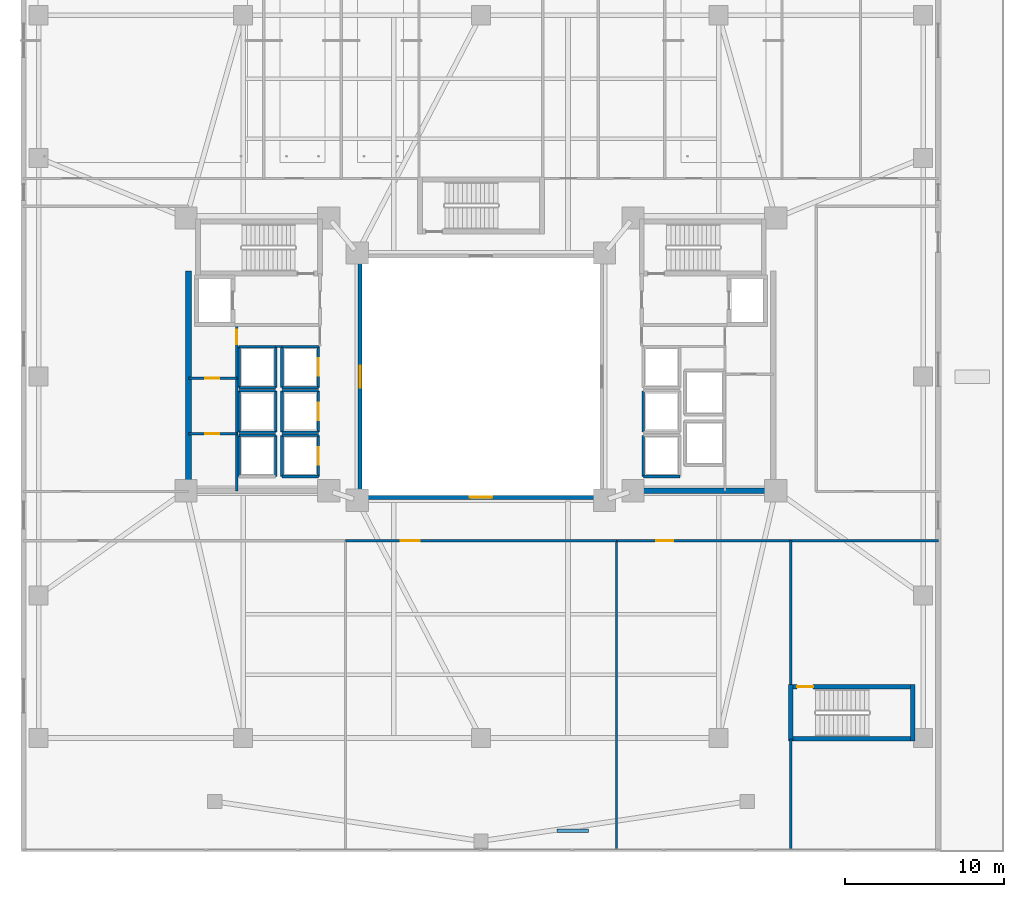
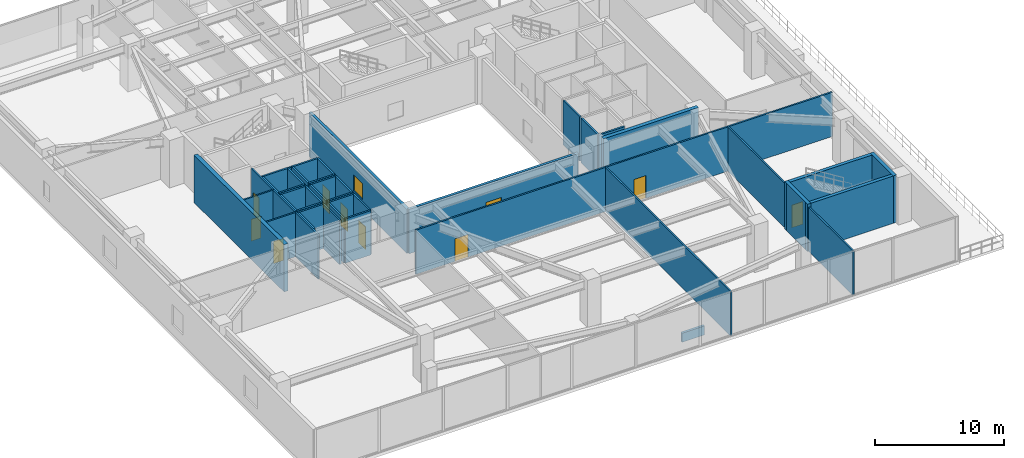
# One storey, part 17 of 27: 44 walls, 9 doors, 2 windows, 11 openings.
"""IFC4 building model written with IfcOpenShell, lengths in metres."""

from ifc_helpers import new_model, si_unit, direction, frame, frame_2d, origin, place, context, subcontext, project, spatial, rectangle, extrude, material, layer, layer_set, type_object, element, fill, save


model = new_model("IFC4")

# Units and contexts
model_context = context("Model", 3, precision=1e-05, world=origin(), true_north=direction((0.0, 1.0)))
body_context = subcontext(model_context, "Body", "Model", "MODEL_VIEW")
ifc_project = project(units=[si_unit("LENGTHUNIT", "METRE"), si_unit("AREAUNIT", "SQUARE_METRE"), si_unit("VOLUMEUNIT", "CUBIC_METRE"), si_unit("PLANEANGLEUNIT", "RADIAN"), si_unit("MASSUNIT", "GRAM", prefix="KILO")], contexts=[model_context])

# Site, building, storey
site_placement = place(None, origin())
site = spatial("IfcSite", under=ifc_project, at=site_placement, CompositionType="ELEMENT")
building_placement = place(site_placement, origin())
building = spatial("IfcBuilding", under=site, at=building_placement, Name="Tarnavaz Court Tower", CompositionType="ELEMENT")
storey_placement = place(building_placement, frame((0.0, 0.0, 9.89990234375)))
storey = spatial("IfcBuildingStorey", under=building, at=storey_placement, Name="L02", CompositionType="ELEMENT", Elevation=9.89990234375)

# Wall, opening, door
ifc_material_1 = material(Name="Concrete C60/75", Category="concrete")
ifc_layer_1 = layer(ifc_material_1, 0.300048828125)
ifc_layer_set_1 = layer_set([ifc_layer_1], Name="Concrete C60/75")
wall_type_1 = type_object("IfcWallType", Name="WL-CORE-300-C60", PredefinedType="SHEAR", material=ifc_layer_set_1)
wall_1_placement = place(storey_placement, frame((19.39990234375, -19.56005859375, 0.0), z_axis=(0.0, 0.0, 1.0), x_axis=(1.0, 0.0, 0.0)))
wall_1 = element("IfcWall", 1, at=wall_1_placement, inside=storey, type_object=wall_type_1, Name="L02 Podium Stair Core Wall 013", PredefinedType="SHEAR", context=body_context, shape_type="SweptSolid", body=[
    extrude(rectangle(XDim=8.0, YDim=0.300048828125, at=frame_2d((4.0, 0.0))), origin(), (0.0, 0.0, 1.0), 4.5),
])
opening_1_placement = place(wall_1_placement, frame((0.550048828125, 0.0, 0.0)))
opening_1 = element("IfcOpeningElement", 2, at=opening_1_placement, cuts=wall_1, Name="Opening D01", PredefinedType="OPENING", context=body_context, shape_type="SweptSolid", body=[
    extrude(rectangle(XDim=1.0, YDim=2.14990234375, at=frame_2d((0.5, 1.074951171875))), frame((0.0, 0.159912109375, 0.0), z_axis=(0.0, -1.0, 0.0), x_axis=(1.0, 0.0, 0.0)), (0.0, 0.0, 1.0), 0.320068359375),
])
ifc_material_2 = material(Name="Fire-Rated Hardwood Timber Core", Category="wood")
door_type_1 = type_object("IfcDoorType", Name="DR-FD90-1000", OperationType="NOTDEFINED", PredefinedType="DOOR", material=ifc_material_2)
door_1_placement = place(opening_1_placement, origin())
door_1 = element("IfcDoor", 3, at=door_1_placement, inside=storey, type_object=door_type_1, Name="L02 Stair ST-P1 Exit Door", OperationType="SINGLE_SWING_RIGHT", OverallHeight=2.14990234375, OverallWidth=1.0, PredefinedType="DOOR", context=body_context, shape_type="SweptSolid", body=[
    extrude(rectangle(XDim=1.0, YDim=2.14990234375, at=frame_2d((0.5, 1.074951171875))), frame((0.0, 0.02490234375, 0.0), z_axis=(0.0, -1.0, 0.0), x_axis=(1.0, 0.0, 0.0)), (0.0, 0.0, 1.0), 0.050048828125),
])
fill(opening_1, door_1)

# Walls
wall_2_placement = place(storey_placement, frame((19.39990234375, -22.85009765625, 0.0), z_axis=(0.0, 0.0, 1.0), x_axis=(1.0, 0.0, 0.0)))
element("IfcWall", 4, at=wall_2_placement, inside=storey, type_object=wall_type_1, Name="L02 Podium Stair Core Wall 014", PredefinedType="SHEAR", context=body_context, shape_type="SweptSolid", body=[
    extrude(rectangle(XDim=8.0, YDim=0.300048828125, at=frame_2d((4.0, 0.0))), origin(), (0.0, 0.0, 1.0), 4.5),
])
for number, where, z_axis, x_axis, name in (
    (5, (19.550048828125, -23.0, 0.0), (0.0, 0.0, 1.0), (0.0, 1.0, 0.0), "L02 Podium Stair Core Wall 015"),
    (6, (27.25, -23.0, 0.0), (0.0, 0.0, 1.0), (0.0, 1.0, 0.0), "L02 Podium Stair Core Wall 016"),
):
    element("IfcWall", number, at=place(storey_placement, frame(where, z_axis=z_axis, x_axis=x_axis)), inside=storey, type_object=wall_type_1, Name=name, PredefinedType="SHEAR", context=body_context, shape_type="SweptSolid", body=[
        extrude(rectangle(XDim=3.590087890625, YDim=0.300048828125, at=frame_2d((1.794921875, 0.0))), origin(), (0.0, 0.0, 1.0), 4.5),
    ])
ifc_layer_2 = layer(ifc_material_1, 0.35009765625)
ifc_layer_set_2 = layer_set([ifc_layer_2], Name="Concrete C60/75")
wall_type_2 = type_object("IfcWallType", Name="WL-CORE-350-C60", PredefinedType="SHEAR", material=ifc_layer_set_2)
wall_3_placement = place(storey_placement, frame((-18.449951171875, -7.375, 0.0), z_axis=(0.0, 0.0, 1.0), x_axis=(0.0, 1.0, 0.0)))
element("IfcWall", 7, at=wall_3_placement, inside=storey, type_object=wall_type_2, Name="L02 West Core Shear Wall 073", PredefinedType="SHEAR", context=body_context, shape_type="SweptSolid", body=[
    extrude(rectangle(XDim=14.050048828125, YDim=0.35009765625, at=frame_2d((7.02490234375, 0.0))), origin(), (0.0, 0.0, 1.0), 4.5),
])
wall_4_placement = place(storey_placement, frame((10.074951171875, -7.199951171875, 0.0), z_axis=(0.0, 0.0, 1.0), x_axis=(1.0, 0.0, 0.0)))
element("IfcWall", 8, at=wall_4_placement, inside=storey, type_object=wall_type_2, Name="L02 East Core South Shear Wall 076", PredefinedType="SHEAR", context=body_context, shape_type="SweptSolid", body=[
    extrude(rectangle(XDim=8.550048828125, YDim=0.35009765625, at=frame_2d((4.27490234375, 0.0))), origin(), (0.0, 0.0, 1.0), 4.5),
])

# Wall, opening, door
ifc_material_3 = material(Name="Gypsum Fire-Board on Acoustic Metal Stud", Category="masonry")
ifc_layer_3 = layer(ifc_material_3, 0.14990234375)
ifc_layer_set_3 = layer_set([ifc_layer_3], Name="Gypsum Fire-Board on Acoustic Metal Stud")
wall_type_3 = type_object("IfcWallType", Name="WL-FIRE-150", PredefinedType="PARTITIONING", material=ifc_layer_set_3)
wall_5_placement = place(storey_placement, frame((-8.550048828125, -10.35009765625, 0.0), z_axis=(0.0, 0.0, 1.0), x_axis=(1.0, 0.0, 0.0)))
wall_5 = element("IfcWall", 9, at=wall_5_placement, inside=storey, type_object=wall_type_3, Name="L02 South Ring Corridor Wall 090", PredefinedType="PARTITIONING", context=body_context, shape_type="SweptSolid", body=[
    extrude(rectangle(XDim=17.10009765625, YDim=0.14990234375, at=frame_2d((8.550048828125, 0.0))), origin(), (0.0, 0.0, 1.0), 4.2001953125),
])
opening_2_placement = place(wall_5_placement, frame((3.5, 0.0, 0.0)))
opening_2 = element("IfcOpeningElement", 10, at=opening_2_placement, cuts=wall_5, Name="Opening D11", PredefinedType="OPENING", context=body_context, shape_type="SweptSolid", body=[
    extrude(rectangle(XDim=1.199951171875, YDim=2.14990234375, at=frame_2d((0.60009765625, 1.074951171875))), frame((0.0, 0.0849609375, 0.0), z_axis=(0.0, -1.0, 0.0), x_axis=(1.0, 0.0, 0.0)), (0.0, 0.0, 1.0), 0.169921875),
])
ifc_material_4 = material(Name="Engineered Oak Timber", Category="wood")
door_type_2 = type_object("IfcDoorType", Name="DR-INT-1200", OperationType="NOTDEFINED", PredefinedType="DOOR", material=ifc_material_4)
door_2_placement = place(opening_2_placement, origin())
door_2 = element("IfcDoor", 11, at=door_2_placement, inside=storey, type_object=door_type_2, Name="L02 Physiotherapy Rehabilitation Hall Door", OperationType="SINGLE_SWING_RIGHT", OverallHeight=2.14990234375, OverallWidth=1.199951171875, PredefinedType="DOOR", context=body_context, shape_type="SweptSolid", body=[
    extrude(rectangle(XDim=1.199951171875, YDim=2.14990234375, at=frame_2d((0.60009765625, 1.074951171875))), frame((0.0, 0.02490234375, 0.0), z_axis=(0.0, -1.0, 0.0), x_axis=(1.0, 0.0, 0.0)), (0.0, 0.0, 1.0), 0.050048828125),
])
fill(opening_2, door_2)

wall_6_placement = place(storey_placement, frame((8.550048828125, -10.35009765625, 0.0), z_axis=(0.0, 0.0, 1.0), x_axis=(1.0, 0.0, 0.0)))
wall_6 = element("IfcWall", 12, at=wall_6_placement, inside=storey, type_object=wall_type_3, Name="L02 SE Corridor Wall 091", PredefinedType="PARTITIONING", context=body_context, shape_type="SweptSolid", body=[
    extrude(rectangle(XDim=20.329833984375, YDim=0.14990234375, at=frame_2d((10.1650390625, 0.0))), origin(), (0.0, 0.0, 1.0), 4.2001953125),
])
opening_3_placement = place(wall_6_placement, frame((2.5, 0.0, 0.0)))
opening_3 = element("IfcOpeningElement", 13, at=opening_3_placement, cuts=wall_6, Name="Opening D12", PredefinedType="OPENING", context=body_context, shape_type="SweptSolid", body=[
    extrude(rectangle(XDim=1.080078125, YDim=2.14990234375, at=frame_2d((0.5400390625, 1.074951171875))), frame((0.0, 0.0849609375, 0.0), z_axis=(0.0, -1.0, 0.0), x_axis=(1.0, 0.0, 0.0)), (0.0, 0.0, 1.0), 0.169921875),
])
door_type_3 = type_object("IfcDoorType", Name="DR-INT-1100", OperationType="NOTDEFINED", PredefinedType="DOOR", material=ifc_material_4)
door_3_placement = place(opening_3_placement, origin())
door_3 = element("IfcDoor", 14, at=door_3_placement, inside=storey, type_object=door_type_3, Name="L02 South-East Treatment Door", OperationType="SINGLE_SWING_LEFT", OverallHeight=2.14990234375, OverallWidth=1.080078125, PredefinedType="DOOR", context=body_context, shape_type="SweptSolid", body=[
    extrude(rectangle(XDim=1.080078125, YDim=2.14990234375, at=frame_2d((0.5400390625, 1.074951171875))), frame((0.0, 0.02490234375, 0.0), z_axis=(0.0, -1.0, 0.0), x_axis=(1.0, 0.0, 0.0)), (0.0, 0.0, 1.0), 0.050048828125),
])
fill(opening_3, door_3)

# Walls
ifc_material_5 = material(Name="Precast Concrete C40/50", Category="concrete")
ifc_layer_4 = layer(ifc_material_5, 0.219970703125)
ifc_layer_set_4 = layer_set([ifc_layer_4], Name="Precast Concrete C40/50")
wall_type_4 = type_object("IfcWallType", Name="WL-PARAPET-220", PredefinedType="PARAPET", material=ifc_layer_set_4)
wall_7_placement = place(storey_placement, frame((4.800048828125, -28.64990234375, 0.0), z_axis=(0.0, 0.0, 1.0), x_axis=(1.0, 0.0, 0.0)))
element("IfcWall", 15, at=wall_7_placement, inside=storey, type_object=wall_type_4, Name="L02 South Prow Terracotta Parapet Upstand", PredefinedType="PARAPET", context=body_context, shape_type="SweptSolid", body=[
    extrude(rectangle(XDim=2.0, YDim=0.219970703125, at=frame_2d((1.0, 0.0))), origin(), (0.0, 0.0, 1.0), 0.85009765625),
])
ifc_material_6 = material(Name="Gypsum Plasterboard Acoustic Partition", Category="masonry")
ifc_layer_5 = layer(ifc_material_6, 0.139892578125)
ifc_layer_set_5 = layer_set([ifc_layer_5], Name="Gypsum Plasterboard Acoustic Partition")
wall_type_5 = type_object("IfcWallType", Name="WL-PART-150", PredefinedType="PARTITIONING", material=ifc_layer_set_5)
wall_8_placement = place(storey_placement, frame((-12.949951171875, 1.89990234375, 0.0), z_axis=(0.0, 0.0, 1.0), x_axis=(1.0, 0.0, 0.0)))
element("IfcWall", 16, at=wall_8_placement, inside=storey, type_object=wall_type_5, Name="L02 Interior Partition 077", PredefinedType="PARTITIONING", context=body_context, shape_type="SweptSolid", body=[
    extrude(rectangle(XDim=0.39990234375, YDim=0.139892578125, at=frame_2d((0.199951171875, 0.0))), origin(), (0.0, 0.0, 1.0), 4.2001953125),
])

# Wall, opening, door
wall_9_placement = place(storey_placement, frame((-15.39990234375, -7.199951171875, 0.0), z_axis=(0.0, 0.0, 1.0), x_axis=(0.0, 1.0, 0.0)))
wall_9 = element("IfcWall", 17, at=wall_9_placement, inside=storey, type_object=wall_type_5, Name="L02 Interior Partition 079", PredefinedType="PARTITIONING", context=body_context, shape_type="SweptSolid", body=[
    extrude(rectangle(XDim=10.449951171875, YDim=0.139892578125, at=frame_2d((5.22509765625, 0.0))), origin(), (0.0, 0.0, 1.0), 4.2001953125),
])
opening_4_placement = place(wall_9_placement, frame((9.25, 0.0, 0.0)))
opening_4 = element("IfcOpeningElement", 18, at=opening_4_placement, cuts=wall_9, Name="Opening D09", PredefinedType="OPENING", context=body_context, shape_type="SweptSolid", body=[
    extrude(rectangle(XDim=0.89990234375, YDim=2.080078125, at=frame_2d((0.449951171875, 1.0400390625))), frame((0.0, 0.079833984375, 0.0), z_axis=(0.0, -1.0, 0.0), x_axis=(1.0, 0.0, 0.0)), (0.0, 0.0, 1.0), 0.159912109375),
])
door_type_4 = type_object("IfcDoorType", Name="DR-FD30-900", OperationType="NOTDEFINED", PredefinedType="DOOR", material=ifc_material_2)
door_4_placement = place(opening_4_placement, origin())
door_4 = element("IfcDoor", 19, at=door_4_placement, inside=storey, type_object=door_type_4, Name="L02 West ICT Comms Door", OperationType="SINGLE_SWING_LEFT", OverallHeight=2.080078125, OverallWidth=0.89990234375, PredefinedType="DOOR", context=body_context, shape_type="SweptSolid", body=[
    extrude(rectangle(XDim=0.89990234375, YDim=2.080078125, at=frame_2d((0.449951171875, 1.0400390625))), frame((0.0, 0.02490234375, 0.0), z_axis=(0.0, -1.0, 0.0), x_axis=(1.0, 0.0, 0.0)), (0.0, 0.0, 1.0), 0.050048828125),
])
fill(opening_4, door_4)

wall_10_placement = place(storey_placement, frame((-18.449951171875, -3.60009765625, 0.0), z_axis=(0.0, 0.0, 1.0), x_axis=(1.0, 0.0, 0.0)))
wall_10 = element("IfcWall", 20, at=wall_10_placement, inside=storey, type_object=wall_type_5, Name="L02 Interior Partition 080", PredefinedType="PARTITIONING", context=body_context, shape_type="SweptSolid", body=[
    extrude(rectangle(XDim=3.050048828125, YDim=0.139892578125, at=frame_2d((1.52490234375, 0.0))), origin(), (0.0, 0.0, 1.0), 4.2001953125),
])
opening_5_placement = place(wall_10_placement, frame((1.050048828125, 0.0, 0.0)))
opening_5 = element("IfcOpeningElement", 21, at=opening_5_placement, cuts=wall_10, Name="Opening D09", PredefinedType="OPENING", context=body_context, shape_type="SweptSolid", body=[
    extrude(rectangle(XDim=0.89990234375, YDim=2.080078125, at=frame_2d((0.449951171875, 1.0400390625))), frame((0.0, 0.079833984375, 0.0), z_axis=(0.0, -1.0, 0.0), x_axis=(1.0, 0.0, 0.0)), (0.0, 0.0, 1.0), 0.159912109375),
])
door_5_placement = place(opening_5_placement, origin())
door_5 = element("IfcDoor", 22, at=door_5_placement, inside=storey, type_object=door_type_4, Name="L02 West Electrical Closet Door", OperationType="SINGLE_SWING_LEFT", OverallHeight=2.080078125, OverallWidth=0.89990234375, PredefinedType="DOOR", context=body_context, shape_type="SweptSolid", body=[
    extrude(rectangle(XDim=0.89990234375, YDim=2.080078125, at=frame_2d((0.449951171875, 1.0400390625))), frame((0.0, 0.02490234375, 0.0), z_axis=(0.0, -1.0, 0.0), x_axis=(1.0, 0.0, 0.0)), (0.0, 0.0, 1.0), 0.050048828125),
])
fill(opening_5, door_5)

wall_11_placement = place(storey_placement, frame((-18.449951171875, -0.10009765625, 0.0), z_axis=(0.0, 0.0, 1.0), x_axis=(1.0, 0.0, 0.0)))
wall_11 = element("IfcWall", 23, at=wall_11_placement, inside=storey, type_object=wall_type_5, Name="L02 Interior Partition 081", PredefinedType="PARTITIONING", context=body_context, shape_type="SweptSolid", body=[
    extrude(rectangle(XDim=3.050048828125, YDim=0.139892578125, at=frame_2d((1.52490234375, 0.0))), origin(), (0.0, 0.0, 1.0), 4.2001953125),
])
opening_6_placement = place(wall_11_placement, frame((1.050048828125, 0.0, 0.0)))
opening_6 = element("IfcOpeningElement", 24, at=opening_6_placement, cuts=wall_11, Name="Opening D09", PredefinedType="OPENING", context=body_context, shape_type="SweptSolid", body=[
    extrude(rectangle(XDim=0.89990234375, YDim=2.080078125, at=frame_2d((0.449951171875, 1.0400390625))), frame((0.0, 0.079833984375, 0.0), z_axis=(0.0, -1.0, 0.0), x_axis=(1.0, 0.0, 0.0)), (0.0, 0.0, 1.0), 0.159912109375),
])
door_6_placement = place(opening_6_placement, origin())
door_6 = element("IfcDoor", 25, at=door_6_placement, inside=storey, type_object=door_type_4, Name="L02 West Chilled-Water Riser Door", OperationType="SINGLE_SWING_RIGHT", OverallHeight=2.080078125, OverallWidth=0.89990234375, PredefinedType="DOOR", context=body_context, shape_type="SweptSolid", body=[
    extrude(rectangle(XDim=0.89990234375, YDim=2.080078125, at=frame_2d((0.449951171875, 1.0400390625))), frame((0.0, 0.02490234375, 0.0), z_axis=(0.0, -1.0, 0.0), x_axis=(1.0, 0.0, 0.0)), (0.0, 0.0, 1.0), 0.050048828125),
])
fill(opening_6, door_6)

# Walls
wall_12_placement = place(storey_placement, frame((8.550048828125, -29.8798828125, 0.0), z_axis=(0.0, 0.0, 1.0), x_axis=(0.0, 1.0, 0.0)))
element("IfcWall", 26, at=wall_12_placement, inside=storey, type_object=wall_type_5, Name="L02 Interior Partition 101", PredefinedType="PARTITIONING", context=body_context, shape_type="SweptSolid", body=[
    extrude(rectangle(XDim=19.52978515625, YDim=0.139892578125, at=frame_2d((9.764892578125, 0.0))), origin(), (0.0, 0.0, 1.0), 4.2001953125),
])
wall_13_placement = place(storey_placement, frame((19.550048828125, -29.8798828125, 0.0), z_axis=(0.0, 0.0, 1.0), x_axis=(0.0, 1.0, 0.0)))
element("IfcWall", 27, at=wall_13_placement, inside=storey, type_object=wall_type_5, Name="L02 Interior Partition 102", PredefinedType="PARTITIONING", context=body_context, shape_type="SweptSolid", body=[
    extrude(rectangle(XDim=7.02978515625, YDim=0.139892578125, at=frame_2d((3.514892578125, 0.0))), origin(), (0.0, 0.0, 1.0), 4.2001953125),
])
wall_14_placement = place(storey_placement, frame((19.550048828125, -19.56005859375, 0.0), z_axis=(0.0, 0.0, 1.0), x_axis=(0.0, 1.0, 0.0)))
element("IfcWall", 28, at=wall_14_placement, inside=storey, type_object=wall_type_5, Name="L02 Interior Partition 103", PredefinedType="PARTITIONING", context=body_context, shape_type="SweptSolid", body=[
    extrude(rectangle(XDim=9.2099609375, YDim=0.139892578125, at=frame_2d((4.60498046875, 0.0))), origin(), (0.0, 0.0, 1.0), 4.2001953125),
])
ifc_material_7 = material(Name="Autoclaved Aerated Concrete Blockwork", Category="masonry")
ifc_layer_6 = layer(ifc_material_7, 0.159912109375)
ifc_layer_set_6 = layer_set([ifc_layer_6], Name="Autoclaved Aerated Concrete Blockwork")
wall_type_6 = type_object("IfcWallType", Name="WL-SHAFT-150", PredefinedType="SOLIDWALL", material=ifc_layer_set_6)
wall_15_placement = place(storey_placement, frame((-12.550048828125, -6.300048828125, 0.0), z_axis=(0.0, 0.0, 1.0), x_axis=(0.0, 1.0, 0.0)))
element("IfcWall", 29, at=wall_15_placement, inside=storey, type_object=wall_type_6, Name="L02 Lift PL-L1 Shaft Wall 025", PredefinedType="SOLIDWALL", context=body_context, shape_type="SweptSolid", body=[
    extrude(rectangle(XDim=2.60009765625, YDim=0.159912109375, at=frame_2d((1.300048828125, 0.0))), origin(), (0.0, 0.0, 1.0), 4.2001953125),
])

# Wall, opening, door
wall_16_placement = place(storey_placement, frame((-10.25, -6.300048828125, 0.0), z_axis=(0.0, 0.0, 1.0), x_axis=(0.0, 1.0, 0.0)))
wall_16 = element("IfcWall", 30, at=wall_16_placement, inside=storey, type_object=wall_type_6, Name="L02 Lift PL-L1 Shaft Wall 026", PredefinedType="SOLIDWALL", context=body_context, shape_type="SweptSolid", body=[
    extrude(rectangle(XDim=2.60009765625, YDim=0.159912109375, at=frame_2d((1.300048828125, 0.0))), origin(), (0.0, 0.0, 1.0), 4.2001953125),
])
opening_7_placement = place(wall_16_placement, frame((0.75, 0.0, 0.0)))
opening_7 = element("IfcOpeningElement", 31, at=opening_7_placement, cuts=wall_16, Name="Opening LD1", PredefinedType="OPENING", context=body_context, shape_type="SweptSolid", body=[
    extrude(rectangle(XDim=1.10009765625, YDim=2.14990234375, at=frame_2d((0.550048828125, 1.074951171875))), frame((0.0, 0.08984375, 0.0), z_axis=(0.0, -1.0, 0.0), x_axis=(1.0, 0.0, 0.0)), (0.0, 0.0, 1.0), 0.179931640625),
])
ifc_material_8 = material(Name="Stainless Steel", Category="steel")
door_type_5 = type_object("IfcDoorType", Name="DR-LD-1100", OperationType="NOTDEFINED", PredefinedType="DOOR", material=ifc_material_8)
door_7_placement = place(opening_7_placement, origin())
door_7 = element("IfcDoor", 32, at=door_7_placement, inside=storey, type_object=door_type_5, Name="L02 Lift Landing Door LD-PL-L1", OperationType="SLIDING_TO_LEFT", OverallHeight=2.14990234375, OverallWidth=1.10009765625, PredefinedType="DOOR", context=body_context, shape_type="SweptSolid", body=[
    extrude(rectangle(XDim=1.10009765625, YDim=2.14990234375, at=frame_2d((0.550048828125, 1.074951171875))), frame((0.0, 0.02490234375, 0.0), z_axis=(0.0, -1.0, 0.0), x_axis=(1.0, 0.0, 0.0)), (0.0, 0.0, 1.0), 0.050048828125),
])
fill(opening_7, door_7)

# Walls
for number, where, z_axis, x_axis, name in (
    (33, (-12.550048828125, -6.300048828125, 0.0), (0.0, 0.0, 1.0), (1.0, 0.0, 0.0), "L02 Lift PL-L1 Shaft Wall 027"),
    (34, (-12.550048828125, -3.699951171875, 0.0), (0.0, 0.0, 1.0), (1.0, 0.0, 0.0), "L02 Lift PL-L1 Shaft Wall 028"),
):
    element("IfcWall", number, at=place(storey_placement, frame(where, z_axis=z_axis, x_axis=x_axis)), inside=storey, type_object=wall_type_6, Name=name, PredefinedType="SOLIDWALL", context=body_context, shape_type="SweptSolid", body=[
        extrude(rectangle(XDim=2.300048828125, YDim=0.159912109375, at=frame_2d((1.14990234375, 0.0))), origin(), (0.0, 0.0, 1.0), 4.2001953125),
    ])
wall_17_placement = place(storey_placement, frame((-12.550048828125, -3.5, 0.0), z_axis=(0.0, 0.0, 1.0), x_axis=(0.0, 1.0, 0.0)))
element("IfcWall", 35, at=wall_17_placement, inside=storey, type_object=wall_type_6, Name="L02 Lift PL-L2 Shaft Wall 029", PredefinedType="SOLIDWALL", context=body_context, shape_type="SweptSolid", body=[
    extrude(rectangle(XDim=2.60009765625, YDim=0.159912109375, at=frame_2d((1.300048828125, 0.0))), origin(), (0.0, 0.0, 1.0), 4.2001953125),
])

# Wall, opening, door
wall_18_placement = place(storey_placement, frame((-10.25, -3.5, 0.0), z_axis=(0.0, 0.0, 1.0), x_axis=(0.0, 1.0, 0.0)))
wall_18 = element("IfcWall", 36, at=wall_18_placement, inside=storey, type_object=wall_type_6, Name="L02 Lift PL-L2 Shaft Wall 030", PredefinedType="SOLIDWALL", context=body_context, shape_type="SweptSolid", body=[
    extrude(rectangle(XDim=2.60009765625, YDim=0.159912109375, at=frame_2d((1.300048828125, 0.0))), origin(), (0.0, 0.0, 1.0), 4.2001953125),
])
opening_8_placement = place(wall_18_placement, frame((0.75, 0.0, 0.0)))
opening_8 = element("IfcOpeningElement", 37, at=opening_8_placement, cuts=wall_18, Name="Opening LD1", PredefinedType="OPENING", context=body_context, shape_type="SweptSolid", body=[
    extrude(rectangle(XDim=1.10009765625, YDim=2.14990234375, at=frame_2d((0.550048828125, 1.074951171875))), frame((0.0, 0.08984375, 0.0), z_axis=(0.0, -1.0, 0.0), x_axis=(1.0, 0.0, 0.0)), (0.0, 0.0, 1.0), 0.179931640625),
])
door_8_placement = place(opening_8_placement, origin())
door_8 = element("IfcDoor", 38, at=door_8_placement, inside=storey, type_object=door_type_5, Name="L02 Lift Landing Door LD-PL-L2", OperationType="SLIDING_TO_LEFT", OverallHeight=2.14990234375, OverallWidth=1.10009765625, PredefinedType="DOOR", context=body_context, shape_type="SweptSolid", body=[
    extrude(rectangle(XDim=1.10009765625, YDim=2.14990234375, at=frame_2d((0.550048828125, 1.074951171875))), frame((0.0, 0.02490234375, 0.0), z_axis=(0.0, -1.0, 0.0), x_axis=(1.0, 0.0, 0.0)), (0.0, 0.0, 1.0), 0.050048828125),
])
fill(opening_8, door_8)

# Walls
for number, where, z_axis, x_axis, name in (
    (39, (-12.550048828125, -3.5, 0.0), (0.0, 0.0, 1.0), (1.0, 0.0, 0.0), "L02 Lift PL-L2 Shaft Wall 031"),
    (40, (-12.550048828125, -0.89990234375, 0.0), (0.0, 0.0, 1.0), (1.0, 0.0, 0.0), "L02 Lift PL-L2 Shaft Wall 032"),
):
    element("IfcWall", number, at=place(storey_placement, frame(where, z_axis=z_axis, x_axis=x_axis)), inside=storey, type_object=wall_type_6, Name=name, PredefinedType="SOLIDWALL", context=body_context, shape_type="SweptSolid", body=[
        extrude(rectangle(XDim=2.300048828125, YDim=0.159912109375, at=frame_2d((1.14990234375, 0.0))), origin(), (0.0, 0.0, 1.0), 4.2001953125),
    ])
wall_19_placement = place(storey_placement, frame((-12.550048828125, -0.699951171875, 0.0), z_axis=(0.0, 0.0, 1.0), x_axis=(0.0, 1.0, 0.0)))
element("IfcWall", 41, at=wall_19_placement, inside=storey, type_object=wall_type_6, Name="L02 Lift PL-L3 Shaft Wall 033", PredefinedType="SOLIDWALL", context=body_context, shape_type="SweptSolid", body=[
    extrude(rectangle(XDim=2.599853515625, YDim=0.159912109375, at=frame_2d((1.2998046875, 0.0))), origin(), (0.0, 0.0, 1.0), 4.2001953125),
])

# Wall, opening, door
wall_20_placement = place(storey_placement, frame((-10.25, -0.699951171875, 0.0), z_axis=(0.0, 0.0, 1.0), x_axis=(0.0, 1.0, 0.0)))
wall_20 = element("IfcWall", 42, at=wall_20_placement, inside=storey, type_object=wall_type_6, Name="L02 Lift PL-L3 Shaft Wall 034", PredefinedType="SOLIDWALL", context=body_context, shape_type="SweptSolid", body=[
    extrude(rectangle(XDim=2.599853515625, YDim=0.159912109375, at=frame_2d((1.2998046875, 0.0))), origin(), (0.0, 0.0, 1.0), 4.2001953125),
])
opening_9_placement = place(wall_20_placement, frame((0.75, 0.0, 0.0)))
opening_9 = element("IfcOpeningElement", 43, at=opening_9_placement, cuts=wall_20, Name="Opening LD1", PredefinedType="OPENING", context=body_context, shape_type="SweptSolid", body=[
    extrude(rectangle(XDim=1.10009765625, YDim=2.14990234375, at=frame_2d((0.550048828125, 1.074951171875))), frame((0.0, 0.08984375, 0.0), z_axis=(0.0, -1.0, 0.0), x_axis=(1.0, 0.0, 0.0)), (0.0, 0.0, 1.0), 0.179931640625),
])
door_9_placement = place(opening_9_placement, origin())
door_9 = element("IfcDoor", 44, at=door_9_placement, inside=storey, type_object=door_type_5, Name="L02 Lift Landing Door LD-PL-L3", OperationType="SLIDING_TO_LEFT", OverallHeight=2.14990234375, OverallWidth=1.10009765625, PredefinedType="DOOR", context=body_context, shape_type="SweptSolid", body=[
    extrude(rectangle(XDim=1.10009765625, YDim=2.14990234375, at=frame_2d((0.550048828125, 1.074951171875))), frame((0.0, 0.02490234375, 0.0), z_axis=(0.0, -1.0, 0.0), x_axis=(1.0, 0.0, 0.0)), (0.0, 0.0, 1.0), 0.050048828125),
])
fill(opening_9, door_9)

# Walls
for number, where, z_axis, x_axis, name in (
    (45, (-12.550048828125, -0.699951171875, 0.0), (0.0, 0.0, 1.0), (1.0, 0.0, 0.0), "L02 Lift PL-L3 Shaft Wall 035"),
    (46, (-12.550048828125, 1.89990234375, 0.0), (0.0, 0.0, 1.0), (1.0, 0.0, 0.0), "L02 Lift PL-L3 Shaft Wall 036"),
):
    element("IfcWall", number, at=place(storey_placement, frame(where, z_axis=z_axis, x_axis=x_axis)), inside=storey, type_object=wall_type_6, Name=name, PredefinedType="SOLIDWALL", context=body_context, shape_type="SweptSolid", body=[
        extrude(rectangle(XDim=2.300048828125, YDim=0.159912109375, at=frame_2d((1.14990234375, 0.0))), origin(), (0.0, 0.0, 1.0), 4.2001953125),
    ])
for number, where, z_axis, x_axis, name in (
    (47, (-15.25, -6.300048828125, 0.0), (0.0, 0.0, 1.0), (0.0, 1.0, 0.0), "L02 Lift PL-H1 Shaft Wall 037"),
    (48, (-12.949951171875, -6.300048828125, 0.0), (0.0, 0.0, 1.0), (0.0, 1.0, 0.0), "L02 Lift PL-H1 Shaft Wall 038"),
):
    element("IfcWall", number, at=place(storey_placement, frame(where, z_axis=z_axis, x_axis=x_axis)), inside=storey, type_object=wall_type_6, Name=name, PredefinedType="SOLIDWALL", context=body_context, shape_type="SweptSolid", body=[
        extrude(rectangle(XDim=2.60009765625, YDim=0.159912109375, at=frame_2d((1.300048828125, 0.0))), origin(), (0.0, 0.0, 1.0), 4.2001953125),
    ])
wall_21_placement = place(storey_placement, frame((-15.25, -3.699951171875, 0.0), z_axis=(0.0, 0.0, 1.0), x_axis=(1.0, 0.0, 0.0)))
element("IfcWall", 49, at=wall_21_placement, inside=storey, type_object=wall_type_6, Name="L02 Lift PL-H1 Shaft Wall 040", PredefinedType="SOLIDWALL", context=body_context, shape_type="SweptSolid", body=[
    extrude(rectangle(XDim=2.300048828125, YDim=0.159912109375, at=frame_2d((1.14990234375, 0.0))), origin(), (0.0, 0.0, 1.0), 4.2001953125),
])
for number, where, z_axis, x_axis, name in (
    (50, (-15.25, -3.5, 0.0), (0.0, 0.0, 1.0), (0.0, 1.0, 0.0), "L02 Lift PL-H2 Shaft Wall 041"),
    (51, (-12.949951171875, -3.5, 0.0), (0.0, 0.0, 1.0), (0.0, 1.0, 0.0), "L02 Lift PL-H2 Shaft Wall 042"),
):
    element("IfcWall", number, at=place(storey_placement, frame(where, z_axis=z_axis, x_axis=x_axis)), inside=storey, type_object=wall_type_6, Name=name, PredefinedType="SOLIDWALL", context=body_context, shape_type="SweptSolid", body=[
        extrude(rectangle(XDim=2.60009765625, YDim=0.159912109375, at=frame_2d((1.300048828125, 0.0))), origin(), (0.0, 0.0, 1.0), 4.2001953125),
    ])
for number, where, z_axis, x_axis, name in (
    (52, (-15.25, -3.5, 0.0), (0.0, 0.0, 1.0), (1.0, 0.0, 0.0), "L02 Lift PL-H2 Shaft Wall 043"),
    (53, (-15.25, -0.89990234375, 0.0), (0.0, 0.0, 1.0), (1.0, 0.0, 0.0), "L02 Lift PL-H2 Shaft Wall 044"),
):
    element("IfcWall", number, at=place(storey_placement, frame(where, z_axis=z_axis, x_axis=x_axis)), inside=storey, type_object=wall_type_6, Name=name, PredefinedType="SOLIDWALL", context=body_context, shape_type="SweptSolid", body=[
        extrude(rectangle(XDim=2.300048828125, YDim=0.159912109375, at=frame_2d((1.14990234375, 0.0))), origin(), (0.0, 0.0, 1.0), 4.2001953125),
    ])
for number, where, z_axis, x_axis, name in (
    (54, (-15.25, -0.699951171875, 0.0), (0.0, 0.0, 1.0), (0.0, 1.0, 0.0), "L02 Lift PL-H3 Shaft Wall 045"),
    (55, (-12.949951171875, -0.699951171875, 0.0), (0.0, 0.0, 1.0), (0.0, 1.0, 0.0), "L02 Lift PL-H3 Shaft Wall 046"),
):
    element("IfcWall", number, at=place(storey_placement, frame(where, z_axis=z_axis, x_axis=x_axis)), inside=storey, type_object=wall_type_6, Name=name, PredefinedType="SOLIDWALL", context=body_context, shape_type="SweptSolid", body=[
        extrude(rectangle(XDim=2.599853515625, YDim=0.159912109375, at=frame_2d((1.2998046875, 0.0))), origin(), (0.0, 0.0, 1.0), 4.2001953125),
    ])
for number, where, z_axis, x_axis, name in (
    (56, (-15.25, -0.699951171875, 0.0), (0.0, 0.0, 1.0), (1.0, 0.0, 0.0), "L02 Lift PL-H3 Shaft Wall 047"),
    (57, (-15.25, 1.89990234375, 0.0), (0.0, 0.0, 1.0), (1.0, 0.0, 0.0), "L02 Lift PL-H3 Shaft Wall 048"),
):
    element("IfcWall", number, at=place(storey_placement, frame(where, z_axis=z_axis, x_axis=x_axis)), inside=storey, type_object=wall_type_6, Name=name, PredefinedType="SOLIDWALL", context=body_context, shape_type="SweptSolid", body=[
        extrude(rectangle(XDim=2.300048828125, YDim=0.159912109375, at=frame_2d((1.14990234375, 0.0))), origin(), (0.0, 0.0, 1.0), 4.2001953125),
    ])
wall_22_placement = place(storey_placement, frame((10.25, -6.300048828125, 0.0), z_axis=(0.0, 0.0, 1.0), x_axis=(0.0, 1.0, 0.0)))
element("IfcWall", 58, at=wall_22_placement, inside=storey, type_object=wall_type_6, Name="L02 Lift PL-M1 Shaft Wall 053", PredefinedType="SOLIDWALL", context=body_context, shape_type="SweptSolid", body=[
    extrude(rectangle(XDim=2.60009765625, YDim=0.159912109375, at=frame_2d((1.300048828125, 0.0))), origin(), (0.0, 0.0, 1.0), 4.2001953125),
])
wall_23_placement = place(storey_placement, frame((10.25, -6.300048828125, 0.0), z_axis=(0.0, 0.0, 1.0), x_axis=(1.0, 0.0, 0.0)))
element("IfcWall", 59, at=wall_23_placement, inside=storey, type_object=wall_type_6, Name="L02 Lift PL-M1 Shaft Wall 055", PredefinedType="SOLIDWALL", context=body_context, shape_type="SweptSolid", body=[
    extrude(rectangle(XDim=2.300048828125, YDim=0.159912109375, at=frame_2d((1.14990234375, 0.0))), origin(), (0.0, 0.0, 1.0), 4.2001953125),
])
wall_24_placement = place(storey_placement, frame((10.25, -3.5, 0.0), z_axis=(0.0, 0.0, 1.0), x_axis=(0.0, 1.0, 0.0)))
element("IfcWall", 60, at=wall_24_placement, inside=storey, type_object=wall_type_6, Name="L02 Lift PL-M2 Shaft Wall 057", PredefinedType="SOLIDWALL", context=body_context, shape_type="SweptSolid", body=[
    extrude(rectangle(XDim=2.60009765625, YDim=0.159912109375, at=frame_2d((1.300048828125, 0.0))), origin(), (0.0, 0.0, 1.0), 4.2001953125),
])

# Wall, opening, window
ifc_layer_7 = layer(ifc_material_5, 0.239990234375)
ifc_layer_set_7 = layer_set([ifc_layer_7], Name="Precast Concrete C40/50")
wall_type_7 = type_object("IfcWallType", Name="WL-WELL-240", PredefinedType="SOLIDWALL", material=ifc_layer_set_7)
wall_25_placement = place(storey_placement, frame((-7.6201171875, -7.6201171875, 0.0), z_axis=(0.0, 0.0, 1.0), x_axis=(1.0, 0.0, 0.0)))
wall_25 = element("IfcWall", 61, at=wall_25_placement, inside=storey, type_object=wall_type_7, Name="L02 Badgir Light-Well Exterior Wall S", PredefinedType="SOLIDWALL", context=body_context, shape_type="SweptSolid", body=[
    extrude(rectangle(XDim=15.240234375, YDim=0.239990234375, at=frame_2d((7.6201171875, 0.0))), origin(), (0.0, 0.0, 1.0), 4.2001953125),
])
opening_10_placement = place(wall_25_placement, frame((6.919921875, 0.0, 0.949951171875)))
opening_10 = element("IfcOpeningElement", 62, at=opening_10_placement, cuts=wall_25, Name="Opening W13", PredefinedType="OPENING", context=body_context, shape_type="SweptSolid", body=[
    extrude(rectangle(XDim=1.39990234375, YDim=1.5, at=frame_2d((0.699951171875, 0.75))), frame((0.0, 0.1298828125, 0.0), z_axis=(0.0, -1.0, 0.0), x_axis=(1.0, 0.0, 0.0)), (0.0, 0.0, 1.0), 0.260009765625),
])
ifc_material_9 = material(Name="Double-Glazed Solar Low-E Glass", Category="glass")
window_type = type_object("IfcWindowType", Name="WN-WEL-1400", PartitioningType="SINGLE_PANEL", PredefinedType="WINDOW", material=ifc_material_9)
window_1_placement = place(opening_10_placement, origin())
window_1 = element("IfcWindow", 63, at=window_1_placement, inside=storey, type_object=window_type, Name="L02 Courtyard Gallery Window S", OverallHeight=1.5, OverallWidth=1.39990234375, PartitioningType="SINGLE_PANEL", PredefinedType="WINDOW", context=body_context, shape_type="SweptSolid", body=[
    extrude(rectangle(XDim=1.39990234375, YDim=1.5, at=frame_2d((0.699951171875, 0.75))), frame((0.0, 0.030029296875, 0.0), z_axis=(0.0, -1.0, 0.0), x_axis=(1.0, 0.0, 0.0)), (0.0, 0.0, 1.0), 0.06005859375),
])
fill(opening_10, window_1)

wall_26_placement = place(storey_placement, frame((-7.6201171875, 7.6201171875, 0.0), z_axis=(0.0, 0.0, 1.0), x_axis=(0.0, -1.0, 0.0)))
wall_26 = element("IfcWall", 64, at=wall_26_placement, inside=storey, type_object=wall_type_7, Name="L02 Badgir Light-Well Exterior Wall W", PredefinedType="SOLIDWALL", context=body_context, shape_type="SweptSolid", body=[
    extrude(rectangle(XDim=15.240234375, YDim=0.239990234375, at=frame_2d((7.6201171875, 0.0))), origin(), (0.0, 0.0, 1.0), 4.2001953125),
])
opening_11_placement = place(wall_26_placement, frame((6.919921875, 0.0, 0.949951171875)))
opening_11 = element("IfcOpeningElement", 65, at=opening_11_placement, cuts=wall_26, Name="Opening W13", PredefinedType="OPENING", context=body_context, shape_type="SweptSolid", body=[
    extrude(rectangle(XDim=1.39990234375, YDim=1.5, at=frame_2d((0.699951171875, 0.75))), frame((0.0, 0.1298828125, 0.0), z_axis=(0.0, -1.0, 0.0), x_axis=(1.0, 0.0, 0.0)), (0.0, 0.0, 1.0), 0.260009765625),
])
window_2_placement = place(opening_11_placement, origin())
window_2 = element("IfcWindow", 66, at=window_2_placement, inside=storey, type_object=window_type, Name="L02 Courtyard Gallery Window W", OverallHeight=1.5, OverallWidth=1.39990234375, PartitioningType="SINGLE_PANEL", PredefinedType="WINDOW", context=body_context, shape_type="SweptSolid", body=[
    extrude(rectangle(XDim=1.39990234375, YDim=1.5, at=frame_2d((0.699951171875, 0.75))), frame((0.0, 0.030029296875, 0.0), z_axis=(0.0, -1.0, 0.0), x_axis=(1.0, 0.0, 0.0)), (0.0, 0.0, 1.0), 0.06005859375),
])
fill(opening_11, window_2)

save(model, "model.ifc")
